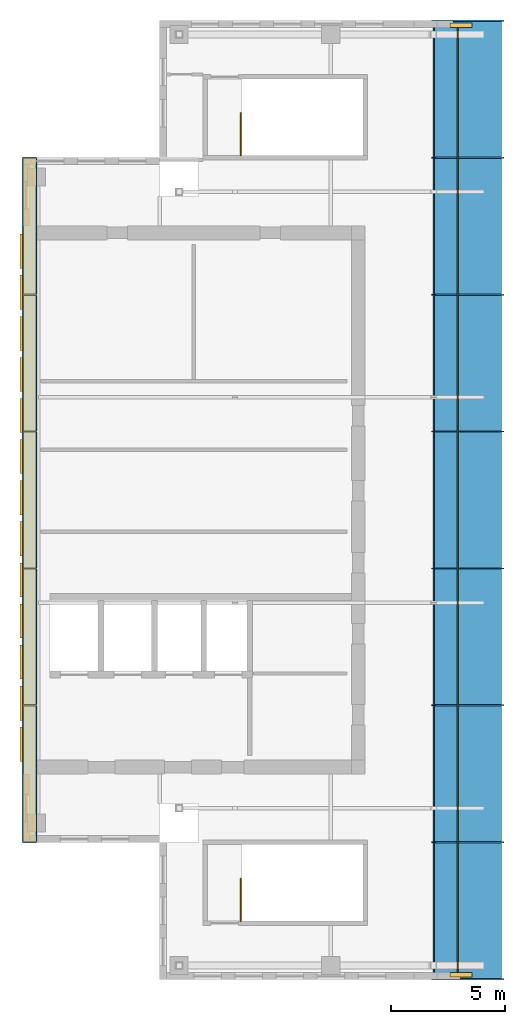
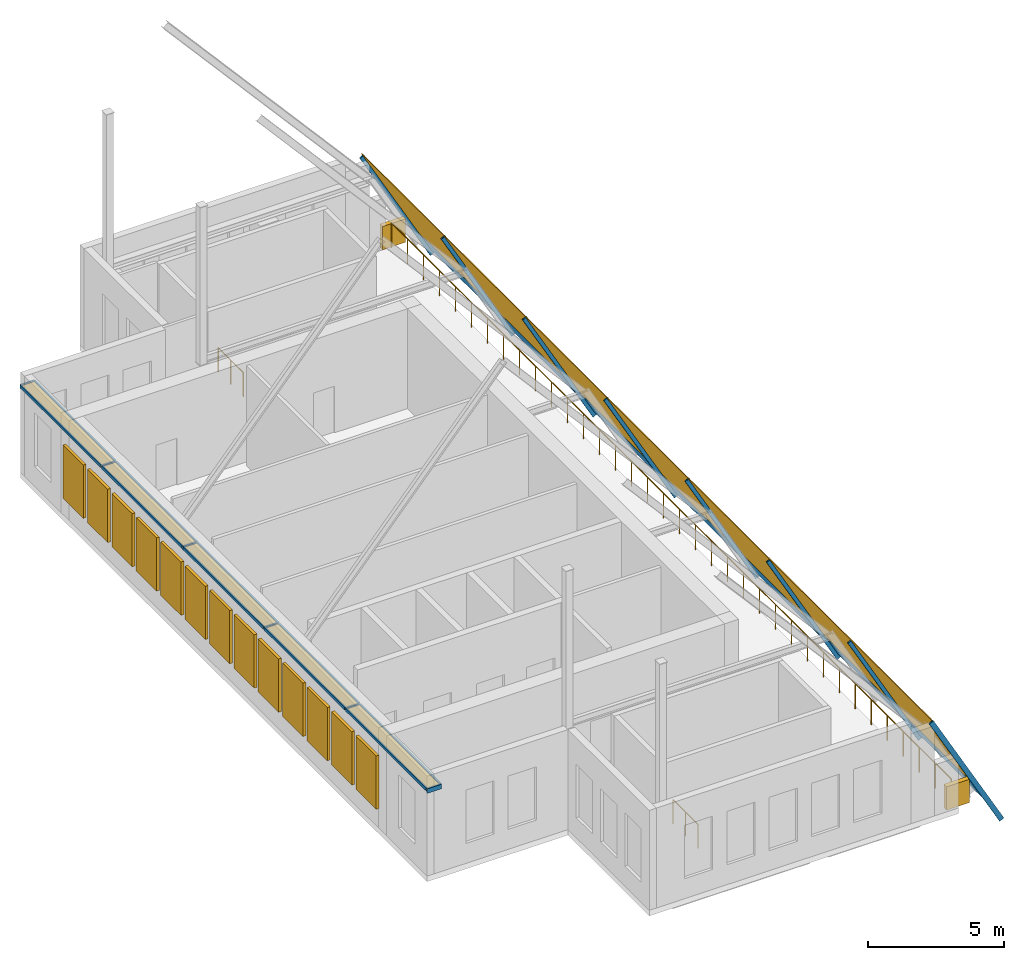
# One storey, part 4 of 4: 24 members, 15 coverings, 12 plates, 9 railings, 2 curtain walls.
"""IFC4 building model written with IfcOpenShell, lengths in metres."""

from ifc_helpers import new_model, si_unit, direction, frame, origin, origin_2d, place, context, subcontext, project, spatial, polyline, rectangle, hollow_rectangle, circle, outline, extrude, source, transform, mapped, material, layer, layer_set, material_profile, profile_set, type_object, element, aggregate, save


model = new_model("IFC4")

# Units and contexts
model_context = context("Model", 3, precision=1e-05, world=origin(), true_north=direction((0.0, 1.0)))
body_context = subcontext(model_context, "Body", "Model", "MODEL_VIEW")
ifc_project = project(units=[si_unit("LENGTHUNIT", "METRE"), si_unit("AREAUNIT", "SQUARE_METRE"), si_unit("VOLUMEUNIT", "CUBIC_METRE"), si_unit("PLANEANGLEUNIT", "RADIAN"), si_unit("MASSUNIT", "GRAM", prefix="KILO")], contexts=[model_context])

# Member
ifc_material_1 = material(Name="Aluminium", Category="aluminium")
ifc_material_profile_1 = material_profile(ifc_material_1, hollow_rectangle(XDim=0.06005859375, YDim=0.199951171875, WallThickness=0.0048828125, at=origin_2d()), Name="Crown roof glazing rafter CR-CW-M")
ifc_profile_set_1 = profile_set([ifc_material_profile_1], Name="Aluminium")
member_type_1 = type_object("IfcMemberType", Name="Crown roof glazing rafter CR-CW-M", PredefinedType="MULLION", material=ifc_profile_set_1)
shared_shape_1 = source(origin(), body_context, "Body", "SweptSolid", [
    extrude(hollow_rectangle(XDim=0.06005859375, YDim=0.199951171875, WallThickness=0.0048828125, at=origin_2d()), origin(), (0.0, 0.0, 1.0), 0.60009765625),
])
site_placement = place(None, origin())
building_placement = place(site_placement, origin())
storey_placement = place(building_placement, frame((0.0, 0.0, 352.699951171875)))
member_1_placement = place(storey_placement, frame((6.0, 12.0, 3.85009765625), z_axis=(1.0, 0.0, 0.0), x_axis=(0.0, 1.0, 0.0)))
member_1 = element("IfcMember", 1, at=member_1_placement, type_object=member_type_1, Name="Crown glazing rafter", PredefinedType="MULLION", context=body_context, shape_type="MappedRepresentation", body=[
    mapped(shared_shape_1, transform((0.0, 0.0, 0.0))),
])

member_2_placement = place(storey_placement, frame((6.0, 18.0, 3.85009765625), z_axis=(1.0, 0.0, 0.0), x_axis=(0.0, 1.0, 0.0)))
member_2 = element("IfcMember", 2, at=member_2_placement, type_object=member_type_1, Name="Crown glazing rafter", PredefinedType="MULLION", context=body_context, shape_type="MappedRepresentation", body=[
    mapped(shared_shape_1, transform((0.0, 0.0, 0.0))),
])

member_3_placement = place(storey_placement, frame((6.0, 24.0, 3.85009765625), z_axis=(1.0, 0.0, 0.0), x_axis=(0.0, 1.0, 0.0)))
member_3 = element("IfcMember", 3, at=member_3_placement, type_object=member_type_1, Name="Crown glazing rafter", PredefinedType="MULLION", context=body_context, shape_type="MappedRepresentation", body=[
    mapped(shared_shape_1, transform((0.0, 0.0, 0.0))),
])

member_4_placement = place(storey_placement, frame((6.0, 30.0, 3.85009765625), z_axis=(1.0, 0.0, 0.0), x_axis=(0.0, 1.0, 0.0)))
member_4 = element("IfcMember", 4, at=member_4_placement, type_object=member_type_1, Name="Crown glazing rafter", PredefinedType="MULLION", context=body_context, shape_type="MappedRepresentation", body=[
    mapped(shared_shape_1, transform((0.0, 0.0, 0.0))),
])

member_5_placement = place(storey_placement, frame((6.0, 36.0, 3.85009765625), z_axis=(1.0, 0.0, 0.0), x_axis=(0.0, 1.0, 0.0)))
member_5 = element("IfcMember", 5, at=member_5_placement, type_object=member_type_1, Name="Crown glazing rafter", PredefinedType="MULLION", context=body_context, shape_type="MappedRepresentation", body=[
    mapped(shared_shape_1, transform((0.0, 0.0, 0.0))),
])

member_6_placement = place(storey_placement, frame((6.0, 42.0, 3.85009765625), z_axis=(1.0, 0.0, 0.0), x_axis=(0.0, 1.0, 0.0)))
member_6 = element("IfcMember", 6, at=member_6_placement, type_object=member_type_1, Name="Crown glazing rafter", PredefinedType="MULLION", context=body_context, shape_type="MappedRepresentation", body=[
    mapped(shared_shape_1, transform((0.0, 0.0, 0.0))),
])

ifc_material_2 = material(Name="Aluminium", Category="aluminium")
ifc_material_profile_2 = material_profile(ifc_material_2, hollow_rectangle(XDim=0.06005859375, YDim=0.1201171875, WallThickness=0.0048828125, at=origin_2d()), Name="Crown roof glazing purlin CR-CW-T")
ifc_profile_set_2 = profile_set([ifc_material_profile_2], Name="Aluminium")
member_type_2 = type_object("IfcMemberType", Name="Crown roof glazing purlin CR-CW-T", PredefinedType="USERDEFINED", material=ifc_profile_set_2)
shared_shape_2 = source(origin(), body_context, "Body", "SweptSolid", [
    extrude(hollow_rectangle(XDim=0.06005859375, YDim=0.1201171875, WallThickness=0.0048828125, at=origin_2d()), origin(), (0.0, 0.0, 1.0), 5.93994140625),
])
member_7_placement = place(storey_placement, frame((6.0, 12.030029296875, 3.89013671875), z_axis=(0.0, 1.0, 0.0), x_axis=(-1.0, 0.0, 0.0)))
member_7 = element("IfcMember", 7, at=member_7_placement, type_object=member_type_2, Name="Crown glazing purlin", ObjectType="TRANSOM", PredefinedType="USERDEFINED", context=body_context, shape_type="MappedRepresentation", body=[
    mapped(shared_shape_2, transform((0.0, 0.0, 0.0))),
])

member_8_placement = place(storey_placement, frame((6.0, 18.030029296875, 3.89013671875), z_axis=(0.0, 1.0, 0.0), x_axis=(-1.0, 0.0, 0.0)))
member_8 = element("IfcMember", 8, at=member_8_placement, type_object=member_type_2, Name="Crown glazing purlin", ObjectType="TRANSOM", PredefinedType="USERDEFINED", context=body_context, shape_type="MappedRepresentation", body=[
    mapped(shared_shape_2, transform((0.0, 0.0, 0.0))),
])

member_9_placement = place(storey_placement, frame((6.0, 24.030029296875, 3.89013671875), z_axis=(0.0, 1.0, 0.0), x_axis=(-1.0, 0.0, 0.0)))
member_9 = element("IfcMember", 9, at=member_9_placement, type_object=member_type_2, Name="Crown glazing purlin", ObjectType="TRANSOM", PredefinedType="USERDEFINED", context=body_context, shape_type="MappedRepresentation", body=[
    mapped(shared_shape_2, transform((0.0, 0.0, 0.0))),
])

member_10_placement = place(storey_placement, frame((6.0, 30.030029296875, 3.89013671875), z_axis=(0.0, 1.0, 0.0), x_axis=(-1.0, 0.0, 0.0)))
member_10 = element("IfcMember", 10, at=member_10_placement, type_object=member_type_2, Name="Crown glazing purlin", ObjectType="TRANSOM", PredefinedType="USERDEFINED", context=body_context, shape_type="MappedRepresentation", body=[
    mapped(shared_shape_2, transform((0.0, 0.0, 0.0))),
])

member_11_placement = place(storey_placement, frame((6.0, 36.030029296875, 3.89013671875), z_axis=(0.0, 1.0, 0.0), x_axis=(-1.0, 0.0, 0.0)))
member_11 = element("IfcMember", 11, at=member_11_placement, type_object=member_type_2, Name="Crown glazing purlin", ObjectType="TRANSOM", PredefinedType="USERDEFINED", context=body_context, shape_type="MappedRepresentation", body=[
    mapped(shared_shape_2, transform((0.0, 0.0, 0.0))),
])

member_12_placement = place(storey_placement, frame((6.60009765625, 12.030029296875, 3.89013671875), z_axis=(0.0, 1.0, 0.0), x_axis=(-1.0, 0.0, 0.0)))
member_12 = element("IfcMember", 12, at=member_12_placement, type_object=member_type_2, Name="Crown glazing purlin", ObjectType="TRANSOM", PredefinedType="USERDEFINED", context=body_context, shape_type="MappedRepresentation", body=[
    mapped(shared_shape_2, transform((0.0, 0.0, 0.0))),
])

member_13_placement = place(storey_placement, frame((6.60009765625, 18.030029296875, 3.89013671875), z_axis=(0.0, 1.0, 0.0), x_axis=(-1.0, 0.0, 0.0)))
member_13 = element("IfcMember", 13, at=member_13_placement, type_object=member_type_2, Name="Crown glazing purlin", ObjectType="TRANSOM", PredefinedType="USERDEFINED", context=body_context, shape_type="MappedRepresentation", body=[
    mapped(shared_shape_2, transform((0.0, 0.0, 0.0))),
])

member_14_placement = place(storey_placement, frame((6.60009765625, 24.030029296875, 3.89013671875), z_axis=(0.0, 1.0, 0.0), x_axis=(-1.0, 0.0, 0.0)))
member_14 = element("IfcMember", 14, at=member_14_placement, type_object=member_type_2, Name="Crown glazing purlin", ObjectType="TRANSOM", PredefinedType="USERDEFINED", context=body_context, shape_type="MappedRepresentation", body=[
    mapped(shared_shape_2, transform((0.0, 0.0, 0.0))),
])

member_15_placement = place(storey_placement, frame((6.60009765625, 30.030029296875, 3.89013671875), z_axis=(0.0, 1.0, 0.0), x_axis=(-1.0, 0.0, 0.0)))
member_15 = element("IfcMember", 15, at=member_15_placement, type_object=member_type_2, Name="Crown glazing purlin", ObjectType="TRANSOM", PredefinedType="USERDEFINED", context=body_context, shape_type="MappedRepresentation", body=[
    mapped(shared_shape_2, transform((0.0, 0.0, 0.0))),
])

member_16_placement = place(storey_placement, frame((6.60009765625, 36.030029296875, 3.89013671875), z_axis=(0.0, 1.0, 0.0), x_axis=(-1.0, 0.0, 0.0)))
member_16 = element("IfcMember", 16, at=member_16_placement, type_object=member_type_2, Name="Crown glazing purlin", ObjectType="TRANSOM", PredefinedType="USERDEFINED", context=body_context, shape_type="MappedRepresentation", body=[
    mapped(shared_shape_2, transform((0.0, 0.0, 0.0))),
])

shared_shape_3 = source(origin(), body_context, "Body", "SweptSolid", [
    extrude(hollow_rectangle(XDim=0.06005859375, YDim=0.199951171875, WallThickness=0.0048828125, at=origin_2d()), origin(), (0.0, 0.0, 1.0), 6.19921875),
])
member_17_placement = place(storey_placement, frame((24.0, 6.0, 4.276611328125), z_axis=(0.483926647766, 0.0, -0.875108564454), x_axis=(0.0, 1.0, 0.0)))
member_17 = element("IfcMember", 17, at=member_17_placement, type_object=member_type_1, Name="Crown glazing rafter", PredefinedType="MULLION", context=body_context, shape_type="MappedRepresentation", body=[
    mapped(shared_shape_3, transform((0.0, 0.0, 0.0))),
])

member_18_placement = place(storey_placement, frame((24.0, 12.0, 4.276611328125), z_axis=(0.483926647766, 0.0, -0.875108564454), x_axis=(0.0, 1.0, 0.0)))
member_18 = element("IfcMember", 18, at=member_18_placement, type_object=member_type_1, Name="Crown glazing rafter", PredefinedType="MULLION", context=body_context, shape_type="MappedRepresentation", body=[
    mapped(shared_shape_3, transform((0.0, 0.0, 0.0))),
])

member_19_placement = place(storey_placement, frame((24.0, 18.0, 4.276611328125), z_axis=(0.483926647766, 0.0, -0.875108564454), x_axis=(0.0, 1.0, 0.0)))
member_19 = element("IfcMember", 19, at=member_19_placement, type_object=member_type_1, Name="Crown glazing rafter", PredefinedType="MULLION", context=body_context, shape_type="MappedRepresentation", body=[
    mapped(shared_shape_3, transform((0.0, 0.0, 0.0))),
])

member_20_placement = place(storey_placement, frame((24.0, 24.0, 4.276611328125), z_axis=(0.483926647766, 0.0, -0.875108564454), x_axis=(0.0, 1.0, 0.0)))
member_20 = element("IfcMember", 20, at=member_20_placement, type_object=member_type_1, Name="Crown glazing rafter", PredefinedType="MULLION", context=body_context, shape_type="MappedRepresentation", body=[
    mapped(shared_shape_3, transform((0.0, 0.0, 0.0))),
])

member_21_placement = place(storey_placement, frame((24.0, 30.0, 4.276611328125), z_axis=(0.483926647766, 0.0, -0.875108564454), x_axis=(0.0, 1.0, 0.0)))
member_21 = element("IfcMember", 21, at=member_21_placement, type_object=member_type_1, Name="Crown glazing rafter", PredefinedType="MULLION", context=body_context, shape_type="MappedRepresentation", body=[
    mapped(shared_shape_3, transform((0.0, 0.0, 0.0))),
])

member_22_placement = place(storey_placement, frame((24.0, 36.0, 4.276611328125), z_axis=(0.483926647766, 0.0, -0.875108564454), x_axis=(0.0, 1.0, 0.0)))
member_22 = element("IfcMember", 22, at=member_22_placement, type_object=member_type_1, Name="Crown glazing rafter", PredefinedType="MULLION", context=body_context, shape_type="MappedRepresentation", body=[
    mapped(shared_shape_3, transform((0.0, 0.0, 0.0))),
])

member_23_placement = place(storey_placement, frame((24.0, 42.0, 4.276611328125), z_axis=(0.483926647766, 0.0, -0.875108564454), x_axis=(0.0, 1.0, 0.0)))
member_23 = element("IfcMember", 23, at=member_23_placement, type_object=member_type_1, Name="Crown glazing rafter", PredefinedType="MULLION", context=body_context, shape_type="MappedRepresentation", body=[
    mapped(shared_shape_3, transform((0.0, 0.0, 0.0))),
])

member_24_placement = place(storey_placement, frame((24.0, 48.0, 4.276611328125), z_axis=(0.483926647766, 0.0, -0.875108564454), x_axis=(0.0, 1.0, 0.0)))
member_24 = element("IfcMember", 24, at=member_24_placement, type_object=member_type_1, Name="Crown glazing rafter", PredefinedType="MULLION", context=body_context, shape_type="MappedRepresentation", body=[
    mapped(shared_shape_3, transform((0.0, 0.0, 0.0))),
])

# Plate
ifc_material_3 = material(Name="Laminated heat-strengthened glass", Category="glass")
ifc_layer_1 = layer(ifc_material_3, 0.031982421875)
ifc_layer_set_1 = layer_set([ifc_layer_1], Name="Laminated heat-strengthened glass")
plate_type = type_object("IfcPlateType", Name="Crown roof glazing panel CR-CW-P", PredefinedType="CURTAIN_PANEL", material=ifc_layer_set_1)
plate_1_placement = place(storey_placement, frame((6.030029296875, 12.030029296875, 3.907958984375), z_axis=(0.0, 0.0, 1.0), x_axis=(1.0, 0.0, 0.0)))
plate_1 = element("IfcPlate", 25, at=plate_1_placement, type_object=plate_type, Name="Crown roof glazing panel", PredefinedType="CURTAIN_PANEL", context=body_context, shape_type="SweptSolid", body=[
    extrude(outline(polyline([(0.0, 0.0), (0.5400390625, 0.0), (0.5400390625, 5.93994140625), (0.0, 5.93994140625), (0.0, 0.0)])), origin(), (0.0, 0.0, -1.0), 0.031982421875),
])

plate_2_placement = place(storey_placement, frame((6.030029296875, 18.030029296875, 3.907958984375), z_axis=(0.0, 0.0, 1.0), x_axis=(1.0, 0.0, 0.0)))
plate_2 = element("IfcPlate", 26, at=plate_2_placement, type_object=plate_type, Name="Crown roof glazing panel", PredefinedType="CURTAIN_PANEL", context=body_context, shape_type="SweptSolid", body=[
    extrude(outline(polyline([(0.0, 0.0), (0.5400390625, 0.0), (0.5400390625, 5.93994140625), (0.0, 5.93994140625), (0.0, 0.0)])), origin(), (0.0, 0.0, -1.0), 0.031982421875),
])

plate_3_placement = place(storey_placement, frame((6.030029296875, 24.030029296875, 3.907958984375), z_axis=(0.0, 0.0, 1.0), x_axis=(1.0, 0.0, 0.0)))
plate_3 = element("IfcPlate", 27, at=plate_3_placement, type_object=plate_type, Name="Crown roof glazing panel", PredefinedType="CURTAIN_PANEL", context=body_context, shape_type="SweptSolid", body=[
    extrude(outline(polyline([(0.0, 0.0), (0.5400390625, 0.0), (0.5400390625, 5.93994140625), (0.0, 5.93994140625), (0.0, 0.0)])), origin(), (0.0, 0.0, -1.0), 0.031982421875),
])

plate_4_placement = place(storey_placement, frame((6.030029296875, 30.030029296875, 3.907958984375), z_axis=(0.0, 0.0, 1.0), x_axis=(1.0, 0.0, 0.0)))
plate_4 = element("IfcPlate", 28, at=plate_4_placement, type_object=plate_type, Name="Crown roof glazing panel", PredefinedType="CURTAIN_PANEL", context=body_context, shape_type="SweptSolid", body=[
    extrude(outline(polyline([(0.0, 0.0), (0.5400390625, 0.0), (0.5400390625, 5.93994140625), (0.0, 5.93994140625), (0.0, 0.0)])), origin(), (0.0, 0.0, -1.0), 0.031982421875),
])

plate_5_placement = place(storey_placement, frame((6.030029296875, 36.030029296875, 3.907958984375), z_axis=(0.0, 0.0, 1.0), x_axis=(1.0, 0.0, 0.0)))
plate_5 = element("IfcPlate", 29, at=plate_5_placement, type_object=plate_type, Name="Crown roof glazing panel", PredefinedType="CURTAIN_PANEL", context=body_context, shape_type="SweptSolid", body=[
    extrude(outline(polyline([(0.0, 0.0), (0.5400390625, 0.0), (0.5400390625, 5.93994140625), (0.0, 5.93994140625), (0.0, 0.0)])), origin(), (0.0, 0.0, -1.0), 0.031982421875),
])

plate_6_placement = place(storey_placement, frame((24.030029296875, 6.030029296875, 4.386962890625), z_axis=(0.875107190461, 0.0, 0.483929132418), x_axis=(0.483929132418, 0.0, -0.875107190461)))
plate_6 = element("IfcPlate", 30, at=plate_6_placement, type_object=plate_type, Name="Crown roof glazing panel", PredefinedType="CURTAIN_PANEL", context=body_context, shape_type="SweptSolid", body=[
    extrude(outline(polyline([(0.0, 0.0), (6.075148630874993, 0.0), (6.075148630874993, 5.93994140625), (0.0, 5.93994140625), (0.0, 0.0)])), origin(), (0.0, 0.0, -1.0), 0.031982421875),
])

plate_7_placement = place(storey_placement, frame((24.030029296875, 12.030029296875, 4.386962890625), z_axis=(0.875107190461, 0.0, 0.483929132418), x_axis=(0.483929132418, 0.0, -0.875107190461)))
plate_7 = element("IfcPlate", 31, at=plate_7_placement, type_object=plate_type, Name="Crown roof glazing panel", PredefinedType="CURTAIN_PANEL", context=body_context, shape_type="SweptSolid", body=[
    extrude(outline(polyline([(0.0, 0.0), (6.075148630874993, 0.0), (6.075148630874993, 5.93994140625), (0.0, 5.93994140625), (0.0, 0.0)])), origin(), (0.0, 0.0, -1.0), 0.031982421875),
])

plate_8_placement = place(storey_placement, frame((24.030029296875, 18.030029296875, 4.386962890625), z_axis=(0.875107190461, 0.0, 0.483929132418), x_axis=(0.483929132418, 0.0, -0.875107190461)))
plate_8 = element("IfcPlate", 32, at=plate_8_placement, type_object=plate_type, Name="Crown roof glazing panel", PredefinedType="CURTAIN_PANEL", context=body_context, shape_type="SweptSolid", body=[
    extrude(outline(polyline([(0.0, 0.0), (6.075148630874993, 0.0), (6.075148630874993, 5.93994140625), (0.0, 5.93994140625), (0.0, 0.0)])), origin(), (0.0, 0.0, -1.0), 0.031982421875),
])

plate_9_placement = place(storey_placement, frame((24.030029296875, 24.030029296875, 4.386962890625), z_axis=(0.875107190461, 0.0, 0.483929132418), x_axis=(0.483929132418, 0.0, -0.875107190461)))
plate_9 = element("IfcPlate", 33, at=plate_9_placement, type_object=plate_type, Name="Crown roof glazing panel", PredefinedType="CURTAIN_PANEL", context=body_context, shape_type="SweptSolid", body=[
    extrude(outline(polyline([(0.0, 0.0), (6.075148630874993, 0.0), (6.075148630874993, 5.93994140625), (0.0, 5.93994140625), (0.0, 0.0)])), origin(), (0.0, 0.0, -1.0), 0.031982421875),
])

plate_10_placement = place(storey_placement, frame((24.030029296875, 30.030029296875, 4.386962890625), z_axis=(0.875107190461, 0.0, 0.483929132418), x_axis=(0.483929132418, 0.0, -0.875107190461)))
plate_10 = element("IfcPlate", 34, at=plate_10_placement, type_object=plate_type, Name="Crown roof glazing panel", PredefinedType="CURTAIN_PANEL", context=body_context, shape_type="SweptSolid", body=[
    extrude(outline(polyline([(0.0, 0.0), (6.075148630874993, 0.0), (6.075148630874993, 5.93994140625), (0.0, 5.93994140625), (0.0, 0.0)])), origin(), (0.0, 0.0, -1.0), 0.031982421875),
])

plate_11_placement = place(storey_placement, frame((24.030029296875, 36.030029296875, 4.386962890625), z_axis=(0.875107190461, 0.0, 0.483929132418), x_axis=(0.483929132418, 0.0, -0.875107190461)))
plate_11 = element("IfcPlate", 35, at=plate_11_placement, type_object=plate_type, Name="Crown roof glazing panel", PredefinedType="CURTAIN_PANEL", context=body_context, shape_type="SweptSolid", body=[
    extrude(outline(polyline([(0.0, 0.0), (6.075148630874993, 0.0), (6.075148630874993, 5.93994140625), (0.0, 5.93994140625), (0.0, 0.0)])), origin(), (0.0, 0.0, -1.0), 0.031982421875),
])

plate_12_placement = place(storey_placement, frame((24.030029296875, 42.030029296875, 4.386962890625), z_axis=(0.875107190461, 0.0, 0.483929132418), x_axis=(0.483929132418, 0.0, -0.875107190461)))
plate_12 = element("IfcPlate", 36, at=plate_12_placement, type_object=plate_type, Name="Crown roof glazing panel", PredefinedType="CURTAIN_PANEL", context=body_context, shape_type="SweptSolid", body=[
    extrude(outline(polyline([(0.0, 0.0), (6.075148630874993, 0.0), (6.075148630874993, 5.93994140625), (0.0, 5.93994140625), (0.0, 0.0)])), origin(), (0.0, 0.0, -1.0), 0.031982421875),
])

# Site, building, storey
site = spatial("IfcSite", under=ifc_project, at=site_placement, CompositionType="ELEMENT")
building = spatial("IfcBuilding", under=site, at=building_placement, Name="Khomas Fold Tower", CompositionType="ELEMENT")
storey = spatial("IfcBuildingStorey", under=building, at=storey_placement, Name="C6", CompositionType="ELEMENT", Elevation=352.699951171875)

# Curtain wall
ifc_material_4 = material(Name="Aluminium framed double glazing", Category="aluminium")
curtain_wall_type = type_object("IfcCurtainWallType", Name="Crown roof glazing CR-CW", PredefinedType="NOTDEFINED", material=ifc_material_4)
curtain_wall_1_placement = place(storey_placement, frame((6.0, 12.0, 3.903076171875), z_axis=(0.0, 0.0, 1.0), x_axis=(0.0, 1.0, 0.0)))
curtain_wall_1 = element("IfcCurtainWall", 37, at=curtain_wall_1_placement, inside=storey, type_object=curtain_wall_type, Name="Crown roof glazing FLAT C6", PredefinedType="NOTDEFINED", context=body_context, shape_type="SweptSolid", body=[
    extrude(outline(polyline([(0.0, 0.0), (6.0, 0.0), (12.0, 0.0), (18.0, 0.0), (24.0, 0.0), (30.0, 0.0), (30.0, -0.60009765625), (24.0, -0.60009765625), (18.0, -0.60009765625), (12.0, -0.60009765625), (6.0, -0.60009765625), (0.0, -0.60009765625), (0.0, 0.0)])), origin(), (0.0, 0.0, -1.0), 0.031982421875),
])

aggregate(curtain_wall_1, [member_1, member_2, member_3, member_4, member_5, member_6, member_7, member_8, member_9, member_10, member_11, member_12, member_13, member_14, member_15, member_16, plate_1, plate_2, plate_3, plate_4, plate_5])

curtain_wall_2_placement = place(storey_placement, frame((24.0, 12.0, 4.436279296875), z_axis=(0.875105299703, 0.0, 0.483932551532), x_axis=(0.0, 1.0, 0.0)))
curtain_wall_2 = element("IfcCurtainWall", 38, at=curtain_wall_2_placement, inside=storey, type_object=curtain_wall_type, Name="Crown roof glazing W C6", PredefinedType="NOTDEFINED", context=body_context, shape_type="SweptSolid", body=[
    extrude(outline(polyline([(0.0, 0.0), (6.0, 0.0), (12.0, 0.0), (18.0, 0.0), (24.0, 0.0), (30.0, 0.0), (36.0, 0.0), (36.0, -5.032318505265809), (-6.0, -5.032318505265809), (-6.0, 0.0), (0.0, 0.0)])), origin(), (0.0, 0.0, -1.0), 0.031982421875),
])

aggregate(curtain_wall_2, [member_17, member_18, member_19, member_20, member_21, member_22, member_23, member_24, plate_6, plate_7, plate_8, plate_9, plate_10, plate_11, plate_12])

# Coverings
ifc_material_5 = material(Name="Natural stone cladding", Category="masonry")
ifc_layer_2 = layer(ifc_material_5, 0.031982421875)
ifc_layer_set_2 = layer_set([ifc_layer_2], Name="Natural stone cladding")
covering_type_1 = type_object("IfcCoveringType", Name="Crown spandrel panel CR-SP", PredefinedType="CLADDING", material=ifc_layer_set_2)
for number, where, z_axis, x_axis, name in (
    (39, (24.71533203125, 6.10009765625, 0.0), (0.0, -1.0, 0.0), (1.0, 0.0, 0.0), "Crown eave fascia"),
    (40, (25.693603515625, 47.89990234375, 0.0), (0.0, 1.0, 0.0), (-1.0, 0.0, 0.0), "Crown eave fascia"),
):
    element("IfcCovering", number, at=place(storey_placement, frame(where, z_axis=z_axis, x_axis=x_axis)), inside=storey, type_object=covering_type_1, Name=name, PredefinedType="CLADDING", context=body_context, shape_type="SweptSolid", body=[
        extrude(outline(polyline([(0.0, 0.0), (0.978271484375, 0.0), (0.978271484375, 1.050048828125), (0.0, 1.050048828125), (0.0, 0.0)])), origin(), (0.0, 0.0, -1.0), 0.199951171875),
    ])
ifc_material_6 = material(Name="Aluminium louvre", Category="aluminium")
ifc_layer_3 = layer(ifc_material_6, 0.1201171875)
ifc_layer_set_3 = layer_set([ifc_layer_3], Name="Aluminium louvre")
covering_type_2 = type_object("IfcCoveringType", Name="Crown louvre screen CR-LS", PredefinedType="CLADDING", material=ifc_layer_set_3)
shared_shape_4 = source(origin(), body_context, "Body", "SweptSolid", [
    extrude(rectangle(XDim=1.5, YDim=0.1201171875, at=origin_2d()), origin(), (0.0, 0.0, 1.0), 2.39990234375),
])
for number, where, z_axis, x_axis, name in (
    (41, (5.93994140625, 37.900146484375, 0.900146484375), (0.0, 0.0, 1.0), (0.0, -1.0, 0.0), "Crown louvre screen"),
    (42, (5.93994140625, 36.10009765625, 0.900146484375), (0.0, 0.0, 1.0), (0.0, -1.0, 0.0), "Crown louvre screen"),
    (43, (5.93994140625, 34.300048828125, 0.900146484375), (0.0, 0.0, 1.0), (0.0, -1.0, 0.0), "Crown louvre screen"),
    (44, (5.93994140625, 32.5, 0.900146484375), (0.0, 0.0, 1.0), (0.0, -1.0, 0.0), "Crown louvre screen"),
    (45, (5.93994140625, 30.7001953125, 0.900146484375), (0.0, 0.0, 1.0), (0.0, -1.0, 0.0), "Crown louvre screen"),
    (46, (5.93994140625, 28.900146484375, 0.900146484375), (0.0, 0.0, 1.0), (0.0, -1.0, 0.0), "Crown louvre screen"),
    (47, (5.93994140625, 27.10009765625, 0.900146484375), (0.0, 0.0, 1.0), (0.0, -1.0, 0.0), "Crown louvre screen"),
    (48, (5.93994140625, 25.300048828125, 0.900146484375), (0.0, 0.0, 1.0), (0.0, -1.0, 0.0), "Crown louvre screen"),
    (49, (5.93994140625, 23.5, 0.900146484375), (0.0, 0.0, 1.0), (0.0, -1.0, 0.0), "Crown louvre screen"),
    (50, (5.93994140625, 21.7001953125, 0.900146484375), (0.0, 0.0, 1.0), (0.0, -1.0, 0.0), "Crown louvre screen"),
    (51, (5.93994140625, 19.900146484375, 0.900146484375), (0.0, 0.0, 1.0), (0.0, -1.0, 0.0), "Crown louvre screen"),
    (52, (5.93994140625, 18.10009765625, 0.900146484375), (0.0, 0.0, 1.0), (0.0, -1.0, 0.0), "Crown louvre screen"),
    (53, (5.93994140625, 16.300048828125, 0.900146484375), (0.0, 0.0, 1.0), (0.0, -1.0, 0.0), "Crown louvre screen"),
):
    element("IfcCovering", number, at=place(storey_placement, frame(where, z_axis=z_axis, x_axis=x_axis)), inside=storey, type_object=covering_type_2, Name=name, PredefinedType="CLADDING", context=body_context, shape_type="MappedRepresentation", body=[
        mapped(shared_shape_4, transform((0.0, 0.0, 0.0))),
    ])

# Railings
ifc_material_7 = material(Name="Powder-coated steel", Category="steel")
railing_type_1 = type_object("IfcRailingType", Name="Balcony guard", PredefinedType="GUARDRAIL", material=ifc_material_7)
shared_shape_5 = source(origin(), body_context, "Body", "SweptSolid", [
    extrude(circle(Radius=0.02490234375, at=origin_2d()), frame((0.0, 0.0, 1.125), z_axis=(0.0, 1.0, 0.0), x_axis=(-1.0, 0.0, 0.0)), (0.0, 0.0, 1.0), 5.89990234375),
    extrude(circle(Radius=0.02001953125, at=origin_2d()), origin(), (0.0, 0.0, 1.0), 1.099853515625),
    extrude(circle(Radius=0.02001953125, at=origin_2d()), frame((0.0, 1.179931640625, 0.0)), (0.0, 0.0, 1.0), 1.099853515625),
    extrude(circle(Radius=0.02001953125, at=origin_2d()), frame((0.0, 2.35986328125, 0.0)), (0.0, 0.0, 1.0), 1.099853515625),
    extrude(circle(Radius=0.02001953125, at=origin_2d()), frame((0.0, 3.5400390625, 0.0)), (0.0, 0.0, 1.0), 1.099853515625),
    extrude(circle(Radius=0.02001953125, at=origin_2d()), frame((0.0, 4.719970703125, 0.0)), (0.0, 0.0, 1.0), 1.099853515625),
    extrude(circle(Radius=0.02001953125, at=origin_2d()), frame((0.0, 5.89990234375, 0.0)), (0.0, 0.0, 1.0), 1.099853515625),
])
for number, where, name in (
    (54, (25.061279296875, 6.35009765625, 0.0), "GUARD 231"),
    (55, (25.061279296875, 12.25, 0.0), "GUARD 231"),
    (56, (25.061279296875, 24.050048828125, 0.0), "GUARD 231"),
    (57, (25.061279296875, 35.85009765625, 0.0), "GUARD 231"),
    (58, (25.061279296875, 41.75, 0.0), "GUARD 231"),
):
    element("IfcRailing", number, at=place(storey_placement, frame(where)), inside=storey, type_object=railing_type_1, Name=name, PredefinedType="GUARDRAIL", context=body_context, shape_type="MappedRepresentation", body=[
        mapped(shared_shape_5, transform((0.0, 0.0, 0.0))),
    ])
shared_shape_6 = source(origin(), body_context, "Body", "SweptSolid", [
    extrude(circle(Radius=0.02490234375, at=origin_2d()), frame((0.0, 0.0, 1.125), z_axis=(0.0, 1.0, 0.0), x_axis=(-1.0, 0.0, 0.0)), (0.0, 0.0, 1.0), 5.900146484375),
    extrude(circle(Radius=0.02001953125, at=origin_2d()), origin(), (0.0, 0.0, 1.0), 1.099853515625),
    extrude(circle(Radius=0.02001953125, at=origin_2d()), frame((0.0, 1.179931640625, 0.0)), (0.0, 0.0, 1.0), 1.099853515625),
    extrude(circle(Radius=0.02001953125, at=origin_2d()), frame((0.0, 2.360107421875, 0.0)), (0.0, 0.0, 1.0), 1.099853515625),
    extrude(circle(Radius=0.02001953125, at=origin_2d()), frame((0.0, 3.5400390625, 0.0)), (0.0, 0.0, 1.0), 1.099853515625),
    extrude(circle(Radius=0.02001953125, at=origin_2d()), frame((0.0, 4.72021484375, 0.0)), (0.0, 0.0, 1.0), 1.099853515625),
    extrude(circle(Radius=0.02001953125, at=origin_2d()), frame((0.0, 5.900146484375, 0.0)), (0.0, 0.0, 1.0), 1.099853515625),
])
for number, where, name in (
    (59, (25.061279296875, 18.14990234375, 0.0), "GUARD 231"),
    (60, (25.061279296875, 29.949951171875, 0.0), "GUARD 231"),
):
    element("IfcRailing", number, at=place(storey_placement, frame(where)), inside=storey, type_object=railing_type_1, Name=name, PredefinedType="GUARDRAIL", context=body_context, shape_type="MappedRepresentation", body=[
        mapped(shared_shape_6, transform((0.0, 0.0, 0.0))),
    ])
ifc_material_8 = material(Name="Steel balustrade", Category="steel")
railing_type_2 = type_object("IfcRailingType", Name="Stair guard", PredefinedType="GUARDRAIL", material=ifc_material_8)
shared_shape_7 = source(origin(), body_context, "Body", "SweptSolid", [
    extrude(circle(Radius=0.02392578125, at=origin_2d()), frame((0.0, 0.0, 1.076171875), z_axis=(0.0, 1.0, 0.0), x_axis=(-1.0, 0.0, 0.0)), (0.0, 0.0, 1.0), 1.849853515625),
    extrude(circle(Radius=0.02099609375, at=origin_2d()), origin(), (0.0, 0.0, 1.0), 1.052001953125),
    extrude(circle(Radius=0.02099609375, at=origin_2d()), frame((0.0, 0.9248046875, 0.0)), (0.0, 0.0, 1.0), 1.052001953125),
    extrude(circle(Radius=0.02099609375, at=origin_2d()), frame((0.0, 1.849853515625, 0.0)), (0.0, 0.0, 1.0), 1.052001953125),
])
for number, where, name in (
    (61, (15.550048828125, 42.10009765625, 0.0), "C6 ST1 top well guard 1"),
    (62, (15.550048828125, 8.550048828125, 0.0), "C6 ST2 top well guard 1"),
):
    element("IfcRailing", number, at=place(storey_placement, frame(where)), inside=storey, type_object=railing_type_2, Name=name, PredefinedType="GUARDRAIL", context=body_context, shape_type="MappedRepresentation", body=[
        mapped(shared_shape_7, transform((0.0, 0.0, 0.0))),
    ])

save(model, "model.ifc")
